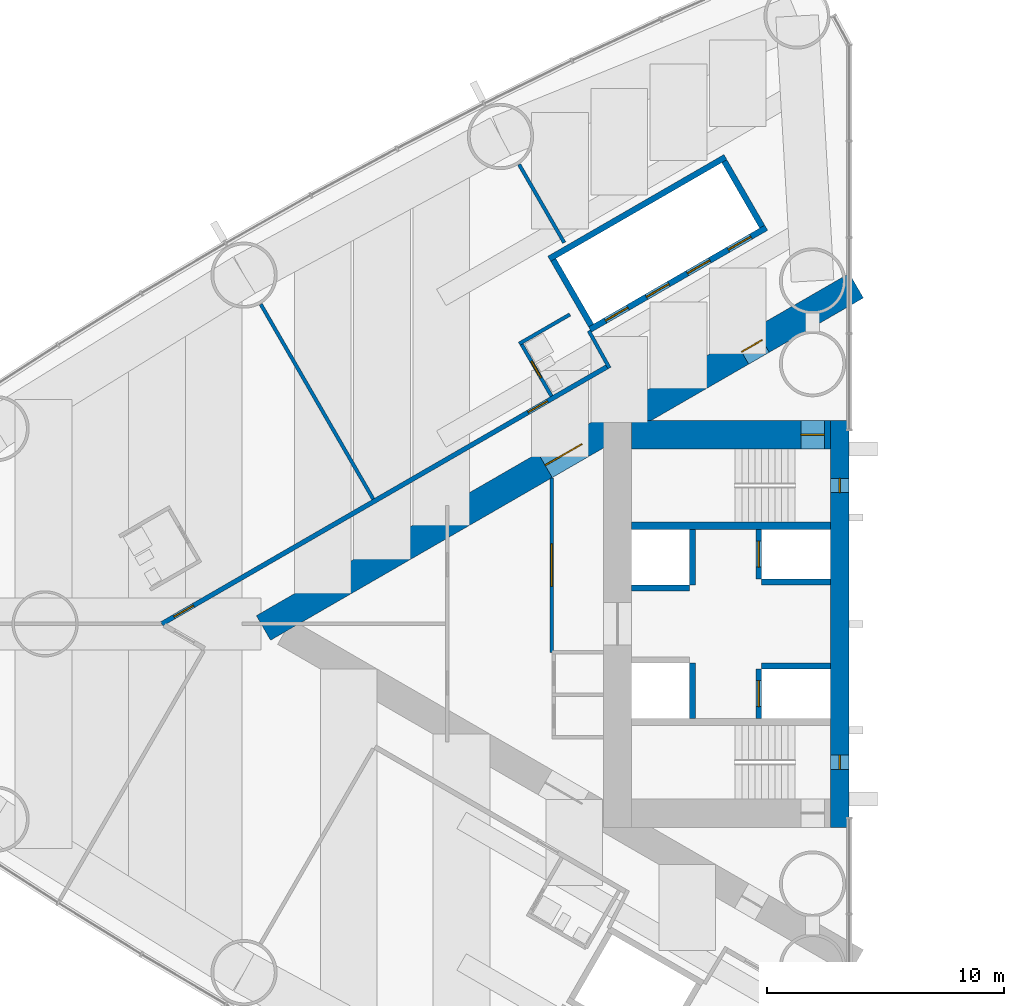
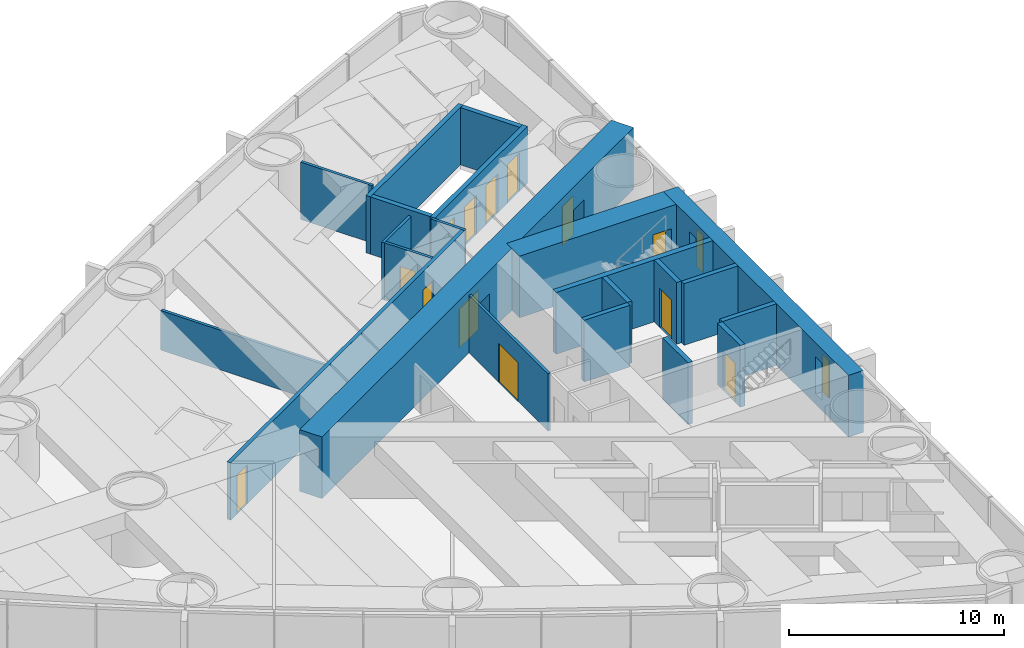
# One storey, part 12 of 18: 22 walls, 13 doors, 2 windows, 15 openings.
"""IFC4 building model written with IfcOpenShell, lengths in metres."""

from ifc_helpers import new_model, si_unit, direction, frame, frame_2d, origin, place, context, subcontext, project, spatial, rectangle, extrude, material, layer, layer_set, type_object, element, fill, save


model = new_model("IFC4")

# Units and contexts
model_context = context("Model", 3, precision=1e-05, world=origin(), true_north=direction((0.0, 1.0)))
body_context = subcontext(model_context, "Body", "Model", "MODEL_VIEW")
ifc_project = project(units=[si_unit("LENGTHUNIT", "METRE"), si_unit("AREAUNIT", "SQUARE_METRE"), si_unit("VOLUMEUNIT", "CUBIC_METRE"), si_unit("PLANEANGLEUNIT", "RADIAN"), si_unit("MASSUNIT", "GRAM", prefix="KILO")], contexts=[model_context])

# Site, building, storey
site_placement = place(None, origin())
site = spatial("IfcSite", under=ifc_project, at=site_placement, CompositionType="ELEMENT")
building_placement = place(site_placement, origin())
building = spatial("IfcBuilding", under=site, at=building_placement, Name="Lancet Gate Hotel", CompositionType="ELEMENT")
storey_placement = place(building_placement, frame((0.0, 0.0, 53.0)))
storey = spatial("IfcBuildingStorey", under=building, at=storey_placement, Name="L13", CompositionType="ELEMENT", Elevation=53.0)

# Wall
ifc_material_1 = material(Name="Moisture resistant board partition")
ifc_layer_1 = layer(ifc_material_1, 0.14990234375)
ifc_layer_set_1 = layer_set([ifc_layer_1], Name="Bathroom wall 150")
wall_type_1 = type_object("IfcWallType", Name="Bathroom wall 150", PredefinedType="PARTITIONING", material=ifc_layer_set_1)
wall_1_placement = place(storey_placement, frame((-39.309814453125, 13.081787109375, 0.0), z_axis=(0.0, 0.0, 1.0), x_axis=(-0.866031185235, -0.4999899861, 0.0)))
element("IfcWall", 1, at=wall_1_placement, inside=storey, type_object=wall_type_1, Name="T1 bathroom wall 150 L13", PredefinedType="PARTITIONING", context=body_context, shape_type="SweptSolid", body=[
    extrude(rectangle(XDim=2.47509765625, YDim=0.14990234375, at=frame_2d((1.237548828125, 0.0))), origin(), (0.0, 0.0, 1.0), 3.25),
])

# Wall, opening, door
wall_2_placement = place(storey_placement, frame((-40.08837890625, 9.630126953125, 0.0), z_axis=(0.0, 0.0, 1.0), x_axis=(-0.500006934395, 0.866021400173, 0.0)))
wall_2 = element("IfcWall", 2, at=wall_2_placement, inside=storey, type_object=wall_type_1, Name="T1 bathroom wall 150 L13", PredefinedType="PARTITIONING", context=body_context, shape_type="SweptSolid", body=[
    extrude(rectangle(XDim=2.60009765625, YDim=0.14990234375, at=frame_2d((1.300048828125, 0.0))), origin(), (0.0, 0.0, 1.0), 3.25),
])
opening_1_placement = place(wall_2_placement, frame((0.89990234375, 0.0, 0.0)))
opening_1 = element("IfcOpeningElement", 3, at=opening_1_placement, cuts=wall_2, Name="Opening 1302-B", PredefinedType="OPENING", context=body_context, shape_type="SweptSolid", body=[
    extrude(rectangle(XDim=0.800048828125, YDim=2.199951171875, at=frame_2d((0.39990234375, 1.10009765625))), frame((0.0, 0.0849609375, 0.0), z_axis=(0.0, -1.0, 0.0), x_axis=(1.0, 0.0, 0.0)), (0.0, 0.0, 1.0), 0.169921875),
])
ifc_material_2 = material(Name="Timber door set", Category="wood")
door_type_1 = type_object("IfcDoorType", Name="Bathroom door 800", OperationType="SINGLE_SWING_RIGHT", PredefinedType="DOOR", material=ifc_material_2)
door_1_placement = place(opening_1_placement, origin())
door_1 = element("IfcDoor", 4, at=door_1_placement, inside=storey, type_object=door_type_1, Name="1302-B", OperationType="SINGLE_SWING_RIGHT", OverallHeight=2.199951171875, OverallWidth=0.800048828125, PredefinedType="DOOR", context=body_context, shape_type="SweptSolid", body=[
    extrude(rectangle(XDim=0.800048828125, YDim=2.199951171875, at=frame_2d((0.39990234375, 1.10009765625))), frame((0.0, 0.02490234375, 0.0), z_axis=(0.0, -1.0, 0.0), x_axis=(1.0, 0.0, 0.0)), (0.0, 0.0, 1.0), 0.050048828125),
])
fill(opening_1, door_1)

# Wall, openings, doors
ifc_material_3 = material(Name="Concrete C70/85", Category="concrete")
ifc_layer_2 = layer(ifc_material_3, 1.199951171875)
ifc_layer_set_2 = layer_set([ifc_layer_2], Name="Buttress wall 1200")
wall_type_2 = type_object("IfcWallType", Name="Buttress wall 1200", PredefinedType="SHEAR", material=ifc_layer_set_2)
wall_3_placement = place(storey_placement, frame((-27.199951171875, 14.300048828125, 0.0), z_axis=(0.0, 0.0, 1.0), x_axis=(-0.866026593062, -0.499997940104, 0.0)))
wall_3 = element("IfcWall", 5, at=wall_3_placement, inside=storey, type_object=wall_type_2, Name="T1 buttress wall S L13", PredefinedType="SHEAR", context=body_context, shape_type="SweptSolid", body=[
    extrude(rectangle(XDim=28.9462890625, YDim=1.199951171875, at=frame_2d((14.47314453125, 0.0))), origin(), (0.0, 0.0, 1.0), 3.5),
])
opening_2_placement = place(wall_3_placement, frame((4.60009765625, 0.0, 0.0)))
opening_2 = element("IfcOpeningElement", 6, at=opening_2_placement, cuts=wall_3, Name="Opening T1-L13-LS", PredefinedType="OPENING", context=body_context, shape_type="SweptSolid", body=[
    extrude(rectangle(XDim=1.0, YDim=2.199951171875, at=frame_2d((0.5, 1.10009765625))), frame((0.0, 0.60986328125, 0.0), z_axis=(0.0, -1.0, 0.0), x_axis=(1.0, 0.0, 0.0)), (0.0, 0.0, 1.0), 1.219970703125),
])
opening_3_placement = place(wall_3_placement, frame((13.39453125, 0.0, 0.0)))
opening_3 = element("IfcOpeningElement", 7, at=opening_3_placement, cuts=wall_3, Name="Opening T1-L13-LHS", PredefinedType="OPENING", context=body_context, shape_type="SweptSolid", body=[
    extrude(rectangle(XDim=1.800048828125, YDim=2.199951171875, at=frame_2d((0.89990234375, 1.10009765625))), frame((0.0, 0.60986328125, 0.0), z_axis=(0.0, -1.0, 0.0), x_axis=(1.0, 0.0, 0.0)), (0.0, 0.0, 1.0), 1.219970703125),
])
ifc_material_4 = material(Name="Timber door set", Category="wood")
door_type_2 = type_object("IfcDoorType", Name="Lobby double door 1800", OperationType="DOUBLE_DOOR_SINGLE_SWING", PredefinedType="DOOR", material=ifc_material_4)
door_2_placement = place(opening_3_placement, origin())
door_2 = element("IfcDoor", 8, at=door_2_placement, inside=storey, type_object=door_type_2, Name="T1-L13-LHS", OperationType="DOUBLE_DOOR_SINGLE_SWING", OverallHeight=2.199951171875, OverallWidth=1.800048828125, PredefinedType="DOOR", context=body_context, shape_type="SweptSolid", body=[
    extrude(rectangle(XDim=1.800048828125, YDim=2.199951171875, at=frame_2d((0.89990234375, 1.10009765625))), frame((0.0, 0.02490234375, 0.0), z_axis=(0.0, -1.0, 0.0), x_axis=(1.0, 0.0, 0.0)), (0.0, 0.0, 1.0), 0.050048828125),
])
fill(opening_3, door_2)
ifc_material_5 = material(Name="Timber door set", Category="wood")
door_type_3 = type_object("IfcDoorType", Name="Stair lobby door 1000", OperationType="SINGLE_SWING_LEFT", PredefinedType="DOOR", material=ifc_material_5)
door_3_placement = place(opening_2_placement, origin())
door_3 = element("IfcDoor", 9, at=door_3_placement, inside=storey, type_object=door_type_3, Name="T1-L13-LS", OperationType="SINGLE_SWING_LEFT", OverallHeight=2.199951171875, OverallWidth=1.0, PredefinedType="DOOR", context=body_context, shape_type="SweptSolid", body=[
    extrude(rectangle(XDim=1.0, YDim=2.199951171875, at=frame_2d((0.5, 1.10009765625))), frame((0.0, 0.02490234375, 0.0), z_axis=(0.0, -1.0, 0.0), x_axis=(1.0, 0.0, 0.0)), (0.0, 0.0, 1.0), 0.050048828125),
])
fill(opening_2, door_3)

# Wall, opening, door
ifc_material_6 = material(Name="Concrete C70/85", Category="concrete")
ifc_layer_3 = layer(ifc_material_6, 1.199951171875)
ifc_layer_set_3 = layer_set([ifc_layer_3], Name="Core wall 1200")
wall_type_3 = type_object("IfcWallType", Name="Core wall 1200", PredefinedType="SHEAR", material=ifc_layer_set_3)
wall_4_placement = place(storey_placement, frame((-28.300048828125, 8.0, 0.0), z_axis=(0.0, 0.0, 1.0), x_axis=(-1.0, 0.0, 0.0)))
wall_4 = element("IfcWall", 10, at=wall_4_placement, inside=storey, type_object=wall_type_3, Name="T1 core wall side-S L13", PredefinedType="SHEAR", context=body_context, shape_type="SweptSolid", body=[
    extrude(rectangle(XDim=8.39990234375, YDim=1.199951171875, at=frame_2d((4.199951171875, 0.0))), origin(), (0.0, 0.0, 1.0), 3.5),
])
opening_4_placement = place(wall_4_placement, frame((0.25, 0.0, 0.0)))
opening_4 = element("IfcOpeningElement", 11, at=opening_4_placement, cuts=wall_4, Name="Opening T1-L13-ST1", PredefinedType="OPENING", context=body_context, shape_type="SweptSolid", body=[
    extrude(rectangle(XDim=1.0, YDim=2.199951171875, at=frame_2d((0.5, 1.10009765625))), frame((0.0, 0.60986328125, 0.0), z_axis=(0.0, -1.0, 0.0), x_axis=(1.0, 0.0, 0.0)), (0.0, 0.0, 1.0), 1.219970703125),
])
ifc_material_7 = material(Name="Timber door set", Category="wood")
door_type_4 = type_object("IfcDoorType", Name="Stair door 1000", OperationType="SINGLE_SWING_RIGHT", PredefinedType="DOOR", material=ifc_material_7)
door_4_placement = place(opening_4_placement, origin())
door_4 = element("IfcDoor", 12, at=door_4_placement, inside=storey, type_object=door_type_4, Name="T1-L13-ST1", OperationType="SINGLE_SWING_RIGHT", OverallHeight=2.199951171875, OverallWidth=1.0, PredefinedType="DOOR", context=body_context, shape_type="SweptSolid", body=[
    extrude(rectangle(XDim=1.0, YDim=2.199951171875, at=frame_2d((0.5, 1.10009765625))), frame((0.0, 0.02490234375, 0.0), z_axis=(0.0, -1.0, 0.0), x_axis=(1.0, 0.0, 0.0)), (0.0, 0.0, 1.0), 0.050048828125),
])
fill(opening_4, door_4)

# Wall, openings, windows
ifc_material_8 = material(Name="Concrete C70/85", Category="concrete")
ifc_layer_4 = layer(ifc_material_8, 0.800048828125)
ifc_layer_set_4 = layer_set([ifc_layer_4], Name="Core wall 800")
wall_type_4 = type_object("IfcWallType", Name="Core wall 800", PredefinedType="SHEAR", material=ifc_layer_set_4)
wall_5_placement = place(storey_placement, frame((-27.89990234375, 8.60009765625, 0.0), z_axis=(0.0, 0.0, 1.0), x_axis=(0.0, -1.0, 0.0)))
wall_5 = element("IfcWall", 13, at=wall_5_placement, inside=storey, type_object=wall_type_4, Name="T1 core wall front L13", PredefinedType="SHEAR", context=body_context, shape_type="SweptSolid", body=[
    extrude(rectangle(XDim=17.2001953125, YDim=0.800048828125, at=frame_2d((8.60009765625, 0.0))), origin(), (0.0, 0.0, 1.0), 3.5),
])
opening_5_placement = place(wall_5_placement, frame((2.449951171875, 0.0, 0.60009765625)))
opening_5 = element("IfcOpeningElement", 14, at=opening_5_placement, cuts=wall_5, Name="Opening LW1", PredefinedType="OPENING", context=body_context, shape_type="SweptSolid", body=[
    extrude(rectangle(XDim=0.60009765625, YDim=2.10009765625, at=frame_2d((0.300048828125, 1.050048828125))), frame((0.0, 0.409912109375, 0.0), z_axis=(0.0, -1.0, 0.0), x_axis=(1.0, 0.0, 0.0)), (0.0, 0.0, 1.0), 0.820068359375),
])
opening_6_placement = place(wall_5_placement, frame((14.14990234375, 0.0, 0.60009765625)))
opening_6 = element("IfcOpeningElement", 15, at=opening_6_placement, cuts=wall_5, Name="Opening LW1", PredefinedType="OPENING", context=body_context, shape_type="SweptSolid", body=[
    extrude(rectangle(XDim=0.60009765625, YDim=2.10009765625, at=frame_2d((0.300048828125, 1.050048828125))), frame((0.0, 0.409912109375, 0.0), z_axis=(0.0, -1.0, 0.0), x_axis=(1.0, 0.0, 0.0)), (0.0, 0.0, 1.0), 0.820068359375),
])
ifc_material_9 = material(Name="Fire-resisting glazed steel window", Category="steel")
window_type = type_object("IfcWindowType", Name="Lancet window 600x2100", PartitioningType="SINGLE_PANEL", PredefinedType="WINDOW", material=ifc_material_9)
window_1_placement = place(opening_5_placement, origin())
window_1 = element("IfcWindow", 16, at=window_1_placement, inside=storey, type_object=window_type, Name="T1 stair window S L13", OverallHeight=2.10009765625, OverallWidth=0.60009765625, PartitioningType="SINGLE_PANEL", PredefinedType="WINDOW", context=body_context, shape_type="SweptSolid", body=[
    extrude(rectangle(XDim=0.60009765625, YDim=2.10009765625, at=frame_2d((0.300048828125, 1.050048828125))), frame((0.0, 0.030029296875, 0.0), z_axis=(0.0, -1.0, 0.0), x_axis=(1.0, 0.0, 0.0)), (0.0, 0.0, 1.0), 0.06005859375),
])
fill(opening_5, window_1)
window_2_placement = place(opening_6_placement, origin())
window_2 = element("IfcWindow", 17, at=window_2_placement, inside=storey, type_object=window_type, Name="T1 stair window N L13", OverallHeight=2.10009765625, OverallWidth=0.60009765625, PartitioningType="SINGLE_PANEL", PredefinedType="WINDOW", context=body_context, shape_type="SweptSolid", body=[
    extrude(rectangle(XDim=0.60009765625, YDim=2.10009765625, at=frame_2d((0.300048828125, 1.050048828125))), frame((0.0, 0.030029296875, 0.0), z_axis=(0.0, -1.0, 0.0), x_axis=(1.0, 0.0, 0.0)), (0.0, 0.0, 1.0), 0.06005859375),
])
fill(opening_6, window_2)

# Wall, openings, doors
ifc_material_10 = material(Name="Gypsum board partition")
ifc_layer_5 = layer(ifc_material_10, 0.199951171875)
ifc_layer_set_5 = layer_set([ifc_layer_5], Name="Corridor wall 200")
wall_type_5 = type_object("IfcWallType", Name="Corridor wall 200", PredefinedType="PARTITIONING", material=ifc_layer_set_5)
wall_6_placement = place(storey_placement, frame((-37.699951171875, 10.8935546875, 0.0), z_axis=(0.0, 0.0, 1.0), x_axis=(-0.866027905338, -0.499995667157, 0.0)))
wall_6 = element("IfcWall", 18, at=wall_6_placement, inside=storey, type_object=wall_type_5, Name="T1 corridor wall 200 L13", PredefinedType="PARTITIONING", context=body_context, shape_type="SweptSolid", body=[
    extrude(rectangle(XDim=21.787353515625, YDim=0.199951171875, at=frame_2d((10.8935546875, 0.0))), origin(), (0.0, 0.0, 1.0), 3.25),
])
opening_7_placement = place(wall_6_placement, frame((20.237060546875, 0.0, 0.0)))
opening_7 = element("IfcOpeningElement", 19, at=opening_7_placement, cuts=wall_6, Name="Opening 1303-E", PredefinedType="OPENING", context=body_context, shape_type="SweptSolid", body=[
    extrude(rectangle(XDim=0.949951171875, YDim=2.199951171875, at=frame_2d((0.47509765625, 1.10009765625))), frame((0.0, 0.10986328125, 0.0), z_axis=(0.0, -1.0, 0.0), x_axis=(1.0, 0.0, 0.0)), (0.0, 0.0, 1.0), 0.219970703125),
])
opening_8_placement = place(wall_6_placement, frame((2.949951171875, 0.0, 0.0)))
opening_8 = element("IfcOpeningElement", 20, at=opening_8_placement, cuts=wall_6, Name="Opening 1302-E", PredefinedType="OPENING", context=body_context, shape_type="SweptSolid", body=[
    extrude(rectangle(XDim=0.949951171875, YDim=2.199951171875, at=frame_2d((0.47509765625, 1.10009765625))), frame((0.0, 0.10986328125, 0.0), z_axis=(0.0, -1.0, 0.0), x_axis=(1.0, 0.0, 0.0)), (0.0, 0.0, 1.0), 0.219970703125),
])
ifc_material_11 = material(Name="Timber door set", Category="wood")
door_type_5 = type_object("IfcDoorType", Name="Guest room entry door 950", OperationType="SINGLE_SWING_LEFT", PredefinedType="DOOR", material=ifc_material_11)
door_5_placement = place(opening_7_placement, origin())
door_5 = element("IfcDoor", 21, at=door_5_placement, inside=storey, type_object=door_type_5, Name="1303-E", OperationType="SINGLE_SWING_LEFT", OverallHeight=2.199951171875, OverallWidth=0.949951171875, PredefinedType="DOOR", context=body_context, shape_type="SweptSolid", body=[
    extrude(rectangle(XDim=0.949951171875, YDim=2.199951171875, at=frame_2d((0.47509765625, 1.10009765625))), frame((0.0, 0.02490234375, 0.0), z_axis=(0.0, -1.0, 0.0), x_axis=(1.0, 0.0, 0.0)), (0.0, 0.0, 1.0), 0.050048828125),
])
fill(opening_7, door_5)
door_6_placement = place(opening_8_placement, origin())
door_6 = element("IfcDoor", 22, at=door_6_placement, inside=storey, type_object=door_type_5, Name="1302-E", OperationType="SINGLE_SWING_LEFT", OverallHeight=2.199951171875, OverallWidth=0.949951171875, PredefinedType="DOOR", context=body_context, shape_type="SweptSolid", body=[
    extrude(rectangle(XDim=0.949951171875, YDim=2.199951171875, at=frame_2d((0.47509765625, 1.10009765625))), frame((0.0, 0.02490234375, 0.0), z_axis=(0.0, -1.0, 0.0), x_axis=(1.0, 0.0, 0.0)), (0.0, 0.0, 1.0), 0.050048828125),
])
fill(opening_8, door_6)

ifc_material_12 = material(Name="Gypsum board partition")
ifc_layer_6 = layer(ifc_material_12, 0.25)
ifc_layer_set_6 = layer_set([ifc_layer_6], Name="Lift shaft partition 250")
wall_type_6 = type_object("IfcWallType", Name="Lift shaft partition 250", PredefinedType="PARTITIONING", material=ifc_layer_set_6)
wall_7_placement = place(storey_placement, frame((-31.010498046875, 16.747314453125, 0.0), z_axis=(0.0, 0.0, 1.0), x_axis=(-0.866028165386, -0.499995216735, 0.0)))
wall_7 = element("IfcWall", 23, at=wall_7_placement, inside=storey, type_object=wall_type_6, Name="T1 lift shaft wall LR L13", PredefinedType="PARTITIONING", context=body_context, shape_type="SweptSolid", body=[
    extrude(rectangle(XDim=8.60009765625, YDim=0.25, at=frame_2d((4.300048828125, 0.0))), origin(), (0.0, 0.0, 1.0), 3.25),
])
opening_9_placement = place(wall_7_placement, frame((0.75, 0.0, 0.0)))
opening_9 = element("IfcOpeningElement", 24, at=opening_9_placement, cuts=wall_7, Name="Opening T1-LR1-L13", PredefinedType="OPENING", context=body_context, shape_type="SweptSolid", body=[
    extrude(rectangle(XDim=1.10009765625, YDim=2.199951171875, at=frame_2d((0.550048828125, 1.10009765625))), frame((0.0, 0.135009765625, 0.0), z_axis=(0.0, -1.0, 0.0), x_axis=(1.0, 0.0, 0.0)), (0.0, 0.0, 1.0), 0.27001953125),
])
opening_10_placement = place(wall_7_placement, frame((2.75, 0.0, 0.0)))
opening_10 = element("IfcOpeningElement", 25, at=opening_10_placement, cuts=wall_7, Name="Opening T1-LR2-L13", PredefinedType="OPENING", context=body_context, shape_type="SweptSolid", body=[
    extrude(rectangle(XDim=1.10009765625, YDim=2.199951171875, at=frame_2d((0.550048828125, 1.10009765625))), frame((0.0, 0.135009765625, 0.0), z_axis=(0.0, -1.0, 0.0), x_axis=(1.0, 0.0, 0.0)), (0.0, 0.0, 1.0), 0.27001953125),
])
opening_11_placement = place(wall_7_placement, frame((4.75, 0.0, 0.0)))
opening_11 = element("IfcOpeningElement", 26, at=opening_11_placement, cuts=wall_7, Name="Opening T1-LR3-L13", PredefinedType="OPENING", context=body_context, shape_type="SweptSolid", body=[
    extrude(rectangle(XDim=1.10009765625, YDim=2.199951171875, at=frame_2d((0.550048828125, 1.10009765625))), frame((0.0, 0.135009765625, 0.0), z_axis=(0.0, -1.0, 0.0), x_axis=(1.0, 0.0, 0.0)), (0.0, 0.0, 1.0), 0.27001953125),
])
opening_12_placement = place(wall_7_placement, frame((6.75, 0.0, 0.0)))
opening_12 = element("IfcOpeningElement", 27, at=opening_12_placement, cuts=wall_7, Name="Opening T1-LR4-L13", PredefinedType="OPENING", context=body_context, shape_type="SweptSolid", body=[
    extrude(rectangle(XDim=1.10009765625, YDim=2.199951171875, at=frame_2d((0.550048828125, 1.10009765625))), frame((0.0, 0.135009765625, 0.0), z_axis=(0.0, -1.0, 0.0), x_axis=(1.0, 0.0, 0.0)), (0.0, 0.0, 1.0), 0.27001953125),
])
ifc_material_13 = material(Name="Steel door set", Category="steel")
door_type_6 = type_object("IfcDoorType", Name="Lift landing door 1100", OperationType="DOUBLE_DOOR_SLIDING", PredefinedType="USERDEFINED", material=ifc_material_13)
door_7_placement = place(opening_9_placement, origin())
door_7 = element("IfcDoor", 28, at=door_7_placement, inside=storey, type_object=door_type_6, Name="T1-LR1-L13", ObjectType="LIFT LANDING DOOR", OperationType="DOUBLE_DOOR_SLIDING", OverallHeight=2.199951171875, OverallWidth=1.10009765625, PredefinedType="USERDEFINED", context=body_context, shape_type="SweptSolid", body=[
    extrude(rectangle(XDim=1.10009765625, YDim=2.199951171875, at=frame_2d((0.550048828125, 1.10009765625))), frame((0.0, 0.02490234375, 0.0), z_axis=(0.0, -1.0, 0.0), x_axis=(1.0, 0.0, 0.0)), (0.0, 0.0, 1.0), 0.050048828125),
])
fill(opening_9, door_7)
door_8_placement = place(opening_10_placement, origin())
door_8 = element("IfcDoor", 29, at=door_8_placement, inside=storey, type_object=door_type_6, Name="T1-LR2-L13", ObjectType="LIFT LANDING DOOR", OperationType="DOUBLE_DOOR_SLIDING", OverallHeight=2.199951171875, OverallWidth=1.10009765625, PredefinedType="USERDEFINED", context=body_context, shape_type="SweptSolid", body=[
    extrude(rectangle(XDim=1.10009765625, YDim=2.199951171875, at=frame_2d((0.550048828125, 1.10009765625))), frame((0.0, 0.02490234375, 0.0), z_axis=(0.0, -1.0, 0.0), x_axis=(1.0, 0.0, 0.0)), (0.0, 0.0, 1.0), 0.050048828125),
])
fill(opening_10, door_8)
door_9_placement = place(opening_11_placement, origin())
door_9 = element("IfcDoor", 30, at=door_9_placement, inside=storey, type_object=door_type_6, Name="T1-LR3-L13", ObjectType="LIFT LANDING DOOR", OperationType="DOUBLE_DOOR_SLIDING", OverallHeight=2.199951171875, OverallWidth=1.10009765625, PredefinedType="USERDEFINED", context=body_context, shape_type="SweptSolid", body=[
    extrude(rectangle(XDim=1.10009765625, YDim=2.199951171875, at=frame_2d((0.550048828125, 1.10009765625))), frame((0.0, 0.02490234375, 0.0), z_axis=(0.0, -1.0, 0.0), x_axis=(1.0, 0.0, 0.0)), (0.0, 0.0, 1.0), 0.050048828125),
])
fill(opening_11, door_9)
door_10_placement = place(opening_12_placement, origin())
door_10 = element("IfcDoor", 31, at=door_10_placement, inside=storey, type_object=door_type_6, Name="T1-LR4-L13", ObjectType="LIFT LANDING DOOR", OperationType="DOUBLE_DOOR_SLIDING", OverallHeight=2.199951171875, OverallWidth=1.10009765625, PredefinedType="USERDEFINED", context=body_context, shape_type="SweptSolid", body=[
    extrude(rectangle(XDim=1.10009765625, YDim=2.199951171875, at=frame_2d((0.550048828125, 1.10009765625))), frame((0.0, 0.02490234375, 0.0), z_axis=(0.0, -1.0, 0.0), x_axis=(1.0, 0.0, 0.0)), (0.0, 0.0, 1.0), 0.050048828125),
])
fill(opening_12, door_10)

# Walls
wall_8_placement = place(storey_placement, frame((-32.735595703125, 19.73583984375, 0.0), z_axis=(0.0, 0.0, 1.0), x_axis=(-0.866028165386, -0.499995216735, 0.0)))
element("IfcWall", 32, at=wall_8_placement, inside=storey, type_object=wall_type_6, Name="T1 lift shaft wall LR L13", PredefinedType="PARTITIONING", context=body_context, shape_type="SweptSolid", body=[
    extrude(rectangle(XDim=8.60009765625, YDim=0.25, at=frame_2d((4.300048828125, 0.0))), origin(), (0.0, 0.0, 1.0), 3.25),
])
wall_9_placement = place(storey_placement, frame((-31.18115234375, 16.79296875, 0.0), z_axis=(0.0, 0.0, 1.0), x_axis=(-0.499929347863, 0.866066190972, 0.0)))
element("IfcWall", 33, at=wall_9_placement, inside=storey, type_object=wall_type_6, Name="T1 lift shaft wall LR L13", PredefinedType="PARTITIONING", context=body_context, shape_type="SweptSolid", body=[
    extrude(rectangle(XDim=3.20068359375, YDim=0.25, at=frame_2d((1.600341796875, 0.0))), origin(), (0.0, 0.0, 1.0), 3.25),
])
wall_10_placement = place(storey_placement, frame((-38.412841796875, 12.617919921875, 0.0), z_axis=(0.0, 0.0, 1.0), x_axis=(-0.499872130319, 0.866099216793, 0.0)))
element("IfcWall", 34, at=wall_10_placement, inside=storey, type_object=wall_type_6, Name="T1 lift shaft wall LR L13", PredefinedType="PARTITIONING", context=body_context, shape_type="SweptSolid", body=[
    extrude(rectangle(XDim=3.200439453125, YDim=0.25, at=frame_2d((1.60009765625, 0.0))), origin(), (0.0, 0.0, 1.0), 3.25),
])

# Wall, opening, door
ifc_material_14 = material(Name="Concrete C50/60", Category="concrete")
ifc_layer_7 = layer(ifc_material_14, 0.25)
ifc_layer_set_7 = layer_set([ifc_layer_7], Name="Lift shaft wall 250")
wall_type_7 = type_object("IfcWallType", Name="Lift shaft wall 250", PredefinedType="SHEAR", material=ifc_layer_set_7)
wall_11_placement = place(storey_placement, frame((-31.324951171875, 4.0, 0.0), z_axis=(0.0, 0.0, 1.0), x_axis=(0.0, -1.0, 0.0)))
wall_11 = element("IfcWall", 35, at=wall_11_placement, inside=storey, type_object=wall_type_7, Name="T1 core wall row1-S L13", PredefinedType="SHEAR", context=body_context, shape_type="SweptSolid", body=[
    extrude(rectangle(XDim=2.10009765625, YDim=0.25, at=frame_2d((1.050048828125, 0.0))), origin(), (0.0, 0.0, 1.0), 3.5),
])
opening_13_placement = place(wall_11_placement, frame((0.5, 0.0, 0.0)))
opening_13 = element("IfcOpeningElement", 36, at=opening_13_placement, cuts=wall_11, Name="Opening T1-SL1-L13", PredefinedType="OPENING", context=body_context, shape_type="SweptSolid", body=[
    extrude(rectangle(XDim=1.10009765625, YDim=2.199951171875, at=frame_2d((0.550048828125, 1.10009765625))), frame((0.0, 0.135009765625, 0.0), z_axis=(0.0, -1.0, 0.0), x_axis=(1.0, 0.0, 0.0)), (0.0, 0.0, 1.0), 0.27001953125),
])
ifc_material_15 = material(Name="Timber door set", Category="wood")
door_type_7 = type_object("IfcDoorType", Name="Service lift landing door 1100", OperationType="SLIDING_TO_LEFT", PredefinedType="USERDEFINED", material=ifc_material_15)
door_11_placement = place(opening_13_placement, origin())
door_11 = element("IfcDoor", 37, at=door_11_placement, inside=storey, type_object=door_type_7, Name="T1-SL1-L13", ObjectType="LIFT LANDING DOOR", OperationType="SLIDING_TO_LEFT", OverallHeight=2.199951171875, OverallWidth=1.10009765625, PredefinedType="USERDEFINED", context=body_context, shape_type="SweptSolid", body=[
    extrude(rectangle(XDim=1.10009765625, YDim=2.199951171875, at=frame_2d((0.550048828125, 1.10009765625))), frame((0.0, 0.02490234375, 0.0), z_axis=(0.0, -1.0, 0.0), x_axis=(1.0, 0.0, 0.0)), (0.0, 0.0, 1.0), 0.050048828125),
])
fill(opening_13, door_11)

# Walls
wall_12_placement = place(storey_placement, frame((-34.125, 4.0, 0.0), z_axis=(0.0, 0.0, 1.0), x_axis=(0.0, -1.0, 0.0)))
element("IfcWall", 38, at=wall_12_placement, inside=storey, type_object=wall_type_7, Name="T1 core wall row2-S L13", PredefinedType="SHEAR", context=body_context, shape_type="SweptSolid", body=[
    extrude(rectangle(XDim=2.35009765625, YDim=0.25, at=frame_2d((1.175048828125, 0.0))), origin(), (0.0, 0.0, 1.0), 3.5),
])
wall_13_placement = place(storey_placement, frame((-28.300048828125, 1.77490234375, 0.0), z_axis=(0.0, 0.0, 1.0), x_axis=(-1.0, 0.0, 0.0)))
element("IfcWall", 39, at=wall_13_placement, inside=storey, type_object=wall_type_7, Name="T1 core wall pass1-S L13", PredefinedType="SHEAR", context=body_context, shape_type="SweptSolid", body=[
    extrude(rectangle(XDim=2.89990234375, YDim=0.25, at=frame_2d((1.449951171875, 0.0))), origin(), (0.0, 0.0, 1.0), 3.5),
])
wall_14_placement = place(storey_placement, frame((-34.25, 1.52490234375, 0.0), z_axis=(0.0, 0.0, 1.0), x_axis=(-1.0, 0.0, 0.0)))
element("IfcWall", 40, at=wall_14_placement, inside=storey, type_object=wall_type_7, Name="T1 core wall pass2-S L13", PredefinedType="SHEAR", context=body_context, shape_type="SweptSolid", body=[
    extrude(rectangle(XDim=2.449951171875, YDim=0.25, at=frame_2d((1.22509765625, 0.0))), origin(), (0.0, 0.0, 1.0), 3.5),
])

# Wall, opening, door
wall_15_placement = place(storey_placement, frame((-31.324951171875, -1.89990234375, 0.0), z_axis=(0.0, 0.0, 1.0), x_axis=(0.0, -1.0, 0.0)))
wall_15 = element("IfcWall", 41, at=wall_15_placement, inside=storey, type_object=wall_type_7, Name="T1 core wall row1-N L13", PredefinedType="SHEAR", context=body_context, shape_type="SweptSolid", body=[
    extrude(rectangle(XDim=2.10009765625, YDim=0.25, at=frame_2d((1.050048828125, 0.0))), origin(), (0.0, 0.0, 1.0), 3.5),
])
opening_14_placement = place(wall_15_placement, frame((0.5, 0.0, 0.0)))
opening_14 = element("IfcOpeningElement", 42, at=opening_14_placement, cuts=wall_15, Name="Opening T1-FL2-L13", PredefinedType="OPENING", context=body_context, shape_type="SweptSolid", body=[
    extrude(rectangle(XDim=1.10009765625, YDim=2.199951171875, at=frame_2d((0.550048828125, 1.10009765625))), frame((0.0, 0.135009765625, 0.0), z_axis=(0.0, -1.0, 0.0), x_axis=(1.0, 0.0, 0.0)), (0.0, 0.0, 1.0), 0.27001953125),
])
ifc_material_16 = material(Name="Steel door set", Category="steel")
door_type_8 = type_object("IfcDoorType", Name="Firefighting lift landing door 1100", OperationType="SLIDING_TO_LEFT", PredefinedType="USERDEFINED", material=ifc_material_16)
door_12_placement = place(opening_14_placement, origin())
door_12 = element("IfcDoor", 43, at=door_12_placement, inside=storey, type_object=door_type_8, Name="T1-FL2-L13", ObjectType="LIFT LANDING DOOR", OperationType="SLIDING_TO_LEFT", OverallHeight=2.199951171875, OverallWidth=1.10009765625, PredefinedType="USERDEFINED", context=body_context, shape_type="SweptSolid", body=[
    extrude(rectangle(XDim=1.10009765625, YDim=2.199951171875, at=frame_2d((0.550048828125, 1.10009765625))), frame((0.0, 0.02490234375, 0.0), z_axis=(0.0, -1.0, 0.0), x_axis=(1.0, 0.0, 0.0)), (0.0, 0.0, 1.0), 0.050048828125),
])
fill(opening_14, door_12)

# Walls
wall_16_placement = place(storey_placement, frame((-34.125, -1.64990234375, 0.0), z_axis=(0.0, 0.0, 1.0), x_axis=(0.0, -1.0, 0.0)))
element("IfcWall", 44, at=wall_16_placement, inside=storey, type_object=wall_type_7, Name="T1 core wall row2-N L13", PredefinedType="SHEAR", context=body_context, shape_type="SweptSolid", body=[
    extrude(rectangle(XDim=2.35009765625, YDim=0.25, at=frame_2d((1.175048828125, 0.0))), origin(), (0.0, 0.0, 1.0), 3.5),
])
wall_17_placement = place(storey_placement, frame((-28.300048828125, -1.77490234375, 0.0), z_axis=(0.0, 0.0, 1.0), x_axis=(-1.0, 0.0, 0.0)))
element("IfcWall", 45, at=wall_17_placement, inside=storey, type_object=wall_type_7, Name="T1 core wall pass1-N L13", PredefinedType="SHEAR", context=body_context, shape_type="SweptSolid", body=[
    extrude(rectangle(XDim=2.89990234375, YDim=0.25, at=frame_2d((1.449951171875, 0.0))), origin(), (0.0, 0.0, 1.0), 3.5),
])
ifc_material_17 = material(Name="Gypsum board partition")
ifc_layer_8 = layer(ifc_material_17, 0.14990234375)
ifc_layer_set_8 = layer_set([ifc_layer_8], Name="Party wall 150")
wall_type_8 = type_object("IfcWallType", Name="Party wall 150", PredefinedType="PARTITIONING", material=ifc_layer_set_8)
wall_18_placement = place(storey_placement, frame((-47.626708984375, 5.27783203125, 0.0), z_axis=(0.0, 0.0, 1.0), x_axis=(-0.500009844318, 0.86601972009, 0.0)))
element("IfcWall", 46, at=wall_18_placement, inside=storey, type_object=wall_type_8, Name="T1 party wall 150 L13", PredefinedType="PARTITIONING", context=body_context, shape_type="SweptSolid", body=[
    extrude(rectangle(XDim=9.510498046875, YDim=0.14990234375, at=frame_2d((4.75537109375, 0.0))), origin(), (0.0, 0.0, 1.0), 2.25),
])
wall_19_placement = place(storey_placement, frame((-39.55078125, 16.11865234375, 0.0), z_axis=(0.0, 0.0, 1.0), x_axis=(-0.500014214979, 0.866017196607, 0.0)))
element("IfcWall", 47, at=wall_19_placement, inside=storey, type_object=wall_type_8, Name="T1 party wall 150 L13", PredefinedType="PARTITIONING", context=body_context, shape_type="SweptSolid", body=[
    extrude(rectangle(XDim=3.81494140625, YDim=0.14990234375, at=frame_2d((1.907470703125, 0.0))), origin(), (0.0, 0.0, 1.0), 3.25),
])
ifc_material_18 = material(Name="Gypsum board partition")
ifc_layer_9 = layer(ifc_material_18, 0.14990234375)
ifc_layer_set_9 = layer_set([ifc_layer_9], Name="Service room wall 150")
wall_type_9 = type_object("IfcWallType", Name="Service room wall 150", PredefinedType="PARTITIONING", material=ifc_layer_set_9)
wall_20_placement = place(storey_placement, frame((-38.513427734375, 12.392333984375, 0.0), z_axis=(0.0, 0.0, 1.0), x_axis=(0.485585508183, -0.874189175317, 0.0)))
element("IfcWall", 48, at=wall_20_placement, inside=storey, type_object=wall_type_9, Name="T1 service room wall 150 L13", PredefinedType="PARTITIONING", context=body_context, shape_type="SweptSolid", body=[
    extrude(rectangle(XDim=1.804931640625, YDim=0.14990234375, at=frame_2d((0.90234375, 0.0))), origin(), (0.0, 0.0, 1.0), 3.25),
])

# Wall, opening, door
wall_21_placement = place(storey_placement, frame((-40.074951171875, 6.173828125, 0.0), z_axis=(0.0, 0.0, 1.0), x_axis=(0.0, -1.0, 0.0)))
wall_21 = element("IfcWall", 49, at=wall_21_placement, inside=storey, type_object=wall_type_9, Name="T1 service room wall 150 L13", PredefinedType="PARTITIONING", context=body_context, shape_type="SweptSolid", body=[
    extrude(rectangle(XDim=7.373779296875, YDim=0.14990234375, at=frame_2d((3.68701171875, 0.0))), origin(), (0.0, 0.0, 1.0), 3.25),
])
opening_15_placement = place(wall_21_placement, frame((2.786865234375, 0.0, 0.0)))
opening_15 = element("IfcOpeningElement", 50, at=opening_15_placement, cuts=wall_21, Name="Opening T1-L13-LH", PredefinedType="OPENING", context=body_context, shape_type="SweptSolid", body=[
    extrude(rectangle(XDim=1.800048828125, YDim=2.199951171875, at=frame_2d((0.89990234375, 1.10009765625))), frame((0.0, 0.0849609375, 0.0), z_axis=(0.0, -1.0, 0.0), x_axis=(1.0, 0.0, 0.0)), (0.0, 0.0, 1.0), 0.169921875),
])
door_13_placement = place(opening_15_placement, origin())
door_13 = element("IfcDoor", 51, at=door_13_placement, inside=storey, type_object=door_type_2, Name="T1-L13-LH", OperationType="DOUBLE_DOOR_SINGLE_SWING", OverallHeight=2.199951171875, OverallWidth=1.800048828125, PredefinedType="DOOR", context=body_context, shape_type="SweptSolid", body=[
    extrude(rectangle(XDim=1.800048828125, YDim=2.199951171875, at=frame_2d((0.89990234375, 1.10009765625))), frame((0.0, 0.02490234375, 0.0), z_axis=(0.0, -1.0, 0.0), x_axis=(1.0, 0.0, 0.0)), (0.0, 0.0, 1.0), 0.050048828125),
])
fill(opening_15, door_13)

# Wall
ifc_material_19 = material(Name="Concrete C50/60", Category="concrete")
ifc_layer_10 = layer(ifc_material_19, 0.300048828125)
ifc_layer_set_10 = layer_set([ifc_layer_10], Name="Stair enclosure wall 300")
wall_type_10 = type_object("IfcWallType", Name="Stair enclosure wall 300", PredefinedType="SHEAR", material=ifc_layer_set_10)
wall_22_placement = place(storey_placement, frame((-28.300048828125, 4.14990234375, 0.0), z_axis=(0.0, 0.0, 1.0), x_axis=(-1.0, 0.0, 0.0)))
element("IfcWall", 52, at=wall_22_placement, inside=storey, type_object=wall_type_10, Name="T1 core wall stair-S L13", PredefinedType="SHEAR", context=body_context, shape_type="SweptSolid", body=[
    extrude(rectangle(XDim=8.39990234375, YDim=0.300048828125, at=frame_2d((4.199951171875, 0.0))), origin(), (0.0, 0.0, 1.0), 3.5),
])

save(model, "model.ifc")
